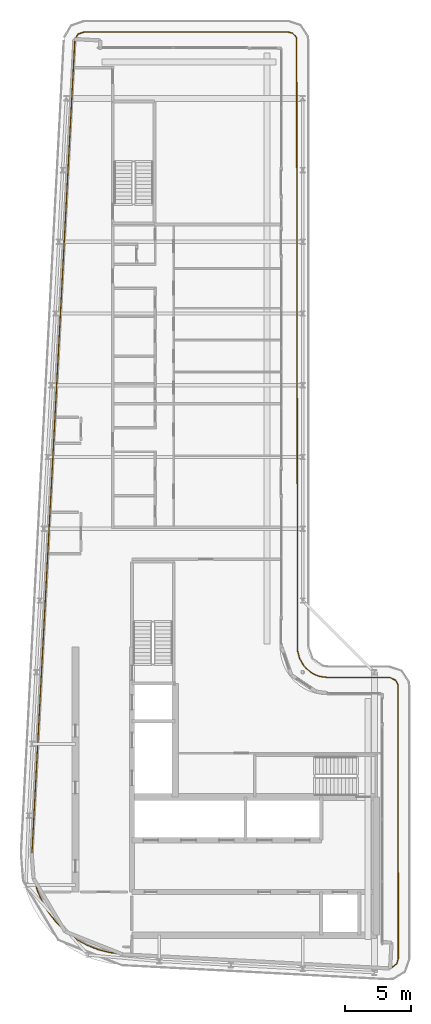
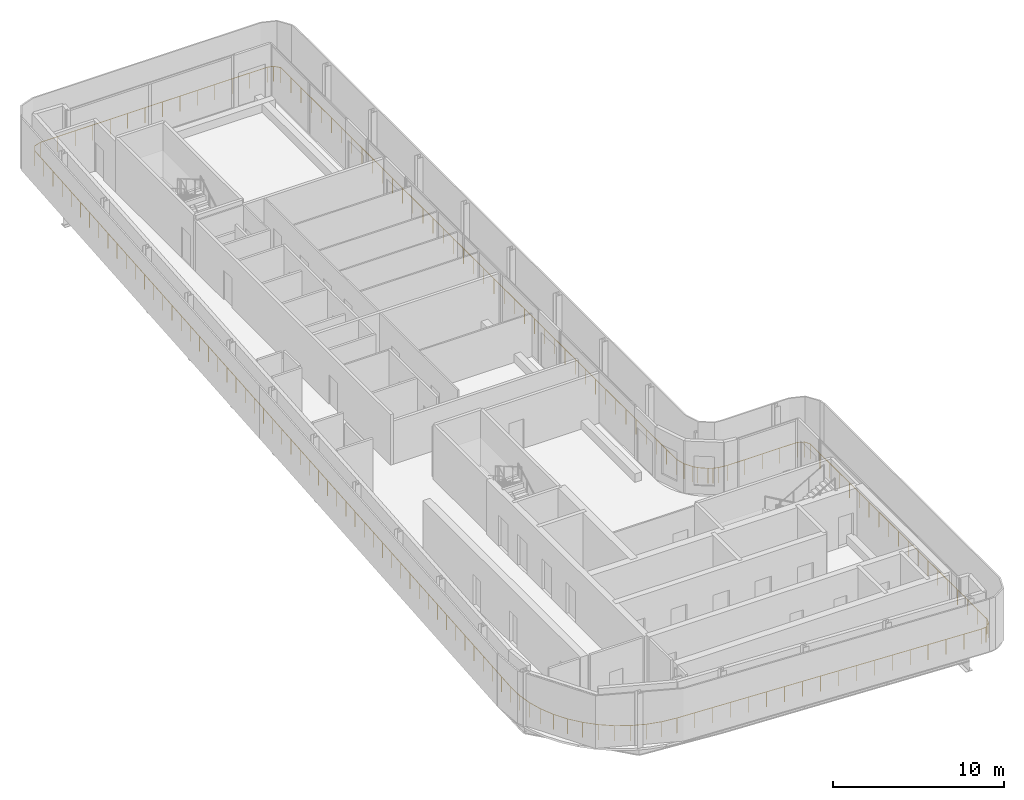
# One storey, part 16 of 19: 1 railing.
"""IFC4 building model written with IfcOpenShell, lengths in metres."""

import ifcopenshell
import ifcopenshell.guid

model = None  # the IFC model being written
_history = None  # IfcOwnerHistory: only IFC2X3 demands one
_inside = {}  # id of a spatial element -> (the spatial element, [elements in it])
_under = {}  # id of a project, library or spatial element -> (it, [spatial elements below it])
_declared = {}  # id of a project -> (the project, [libraries it declares])
_typed = {}  # id of a type object -> (the type object, [elements of that type])
_made_of = {}  # id of a material, layer set ... -> (it, [elements and type objects made of it])


def new_model(schema):
    """Start an empty IFC model of exactly this schema.

    Asked for "IFC4X3", IfcOpenShell would pick the latest addendum, in which some entities
    have other attributes; the version numbers below select the first issue.
    IFC2X3 requires an IfcOwnerHistory on every rooted entity: one is made here for all.
    """
    global model, _history
    if schema == "IFC4X3":
        model = ifcopenshell.file(schema_version=(4, 3, 0, 0))
    else:
        model = ifcopenshell.file(schema=schema)
    _inside.clear()
    _under.clear()
    _declared.clear()
    _typed.clear()
    _made_of.clear()
    _history = None
    if model.schema == "IFC2X3":
        org = make("IfcOrganization", Name="unknown")
        user = make(
            "IfcPersonAndOrganization",
            ThePerson=make("IfcPerson", FamilyName="unknown"),
            TheOrganization=org,
        )
        app = make(
            "IfcApplication",
            ApplicationDeveloper=org,
            Version="unknown",
            ApplicationFullName="unknown",
            ApplicationIdentifier="unknown",
        )
        _history = make(
            "IfcOwnerHistory",
            OwningUser=user,
            OwningApplication=app,
            ChangeAction="ADDED",
            CreationDate=0,
        )
    return model


def make(cls, **values):
    """One entity of the class cls with the attributes given. An attribute that is None is left unset."""
    return model.create_entity(
        cls, **{name: value for name, value in values.items() if value is not None}
    )


def rooted(cls, **values):
    """An entity with a GlobalId (a new one), such as an element, a storey or a relation."""
    return make(cls, GlobalId=ifcopenshell.guid.new(), OwnerHistory=_history, **values)


def si_unit(unit_type, name, prefix=None):
    """IfcSIUnit, for example si_unit("LENGTHUNIT", "METRE", prefix="MILLI")."""
    return make("IfcSIUnit", UnitType=unit_type, Prefix=prefix, Name=name)


def assignment(units):
    """IfcUnitAssignment: the units of a project."""
    return None if units is None else make("IfcUnitAssignment", Units=units)


def point(xyz):
    """IfcCartesianPoint."""
    return None if xyz is None else make("IfcCartesianPoint", Coordinates=xyz)


def direction(xyz):
    """IfcDirection."""
    return None if xyz is None else make("IfcDirection", DirectionRatios=xyz)


def frame(location, z_axis=None, x_axis=None):
    """IfcAxis2Placement3D, a coordinate frame: its origin and axes. An axis left out is left unset."""
    return make(
        "IfcAxis2Placement3D",
        Location=point(location),
        Axis=direction(z_axis),
        RefDirection=direction(x_axis),
    )


def frame_2d(location, x_axis=None):
    """IfcAxis2Placement2D, a coordinate frame in the plane: its origin and x axis."""
    return make(
        "IfcAxis2Placement2D", Location=point(location), RefDirection=direction(x_axis)
    )


def origin():
    """The frame at (0, 0, 0) with its axes left unset."""
    return frame((0.0, 0.0, 0.0))


def origin_2d():
    """The frame at (0, 0) in the plane with its x axis left unset."""
    return frame_2d((0.0, 0.0))


def place(relative_to, where):
    """IfcLocalPlacement: puts the frame where relative to a parent placement (None: the world)."""
    return make(
        "IfcLocalPlacement", PlacementRelTo=relative_to, RelativePlacement=where
    )


def context(
    kind, dimensions, precision=None, world=None, true_north=None, identifier=None
):
    """IfcGeometricRepresentationContext, for example the 3D "Model" context."""
    return make(
        "IfcGeometricRepresentationContext",
        ContextIdentifier=identifier,
        ContextType=kind,
        CoordinateSpaceDimension=dimensions,
        Precision=precision,
        WorldCoordinateSystem=world,
        TrueNorth=true_north,
    )


def subcontext(parent, identifier, kind, view, scale=None):
    """IfcGeometricRepresentationSubContext, for example "Body" below "Model"."""
    return make(
        "IfcGeometricRepresentationSubContext",
        ContextIdentifier=identifier,
        ContextType=kind,
        ParentContext=parent,
        TargetScale=scale,
        TargetView=view,
    )


def project(units=None, contexts=None):
    """IfcProject with its units and contexts."""
    return rooted(
        "IfcProject",
        Name="project",
        RepresentationContexts=contexts,
        UnitsInContext=assignment(units),
    )


def spatial(cls, under=None, at=None, **own):
    """A site, building, storey or space (cls), placed at a placement, below another one or the project."""
    s = rooted(cls, ObjectPlacement=at, **own)
    if under is not None:
        _under.setdefault(under.id(), (under, []))[1].append(s)
    return s


def profile(cls, at=None, kind="AREA", **sizes):
    """A parametric profile (cls). Its sizes go by their IFC names, for example OverallWidth=200.0."""
    return make(cls, ProfileType=kind, Position=at, **sizes)


def circle(**sizes):
    """IfcCircleProfileDef."""
    return profile("IfcCircleProfileDef", **sizes)


def extrude(swept, where, along, depth):
    """IfcExtrudedAreaSolid: the profile swept, set in the frame where, extruded along a direction by depth."""
    return make(
        "IfcExtrudedAreaSolid",
        SweptArea=swept,
        Position=where,
        ExtrudedDirection=direction(along),
        Depth=depth,
    )


def shape(context_of_items, identifier, shape_type, items):
    """IfcShapeRepresentation: the items that make up one representation, for example the "Body"."""
    return make(
        "IfcShapeRepresentation",
        ContextOfItems=context_of_items,
        RepresentationIdentifier=identifier,
        RepresentationType=shape_type,
        Items=items,
    )


def material(Name=None, Category=None):
    """IfcMaterial."""
    return make("IfcMaterial", Name=Name, Category=Category)


def made_of(thing, what):
    """Note that an element or type object is made of a material, layer set ...; save() writes the relation."""
    if what is not None:
        _made_of.setdefault(what.id(), (what, []))[1].append(thing)
    return thing


def type_object(cls, material=None, **own):
    """A type object (cls), such as IfcWallType, which elements share."""
    return made_of(rooted(cls, **own), material)


def element(
    cls,
    number,
    at=None,
    inside=None,
    cuts=None,
    type_object=None,
    material=None,
    context=None,
    identifier="Body",
    shape_type=None,
    held_by="IfcProductDefinitionShape",
    body=None,
    shapes=None,
    **own,
):
    """One element of the class cls, such as IfcWall. Its Tag is "e" and its number.

    at: its placement. inside: the storey or other place that contains it. cuts: it is an
    opening in that element (IfcRelVoidsElement). A single representation is given by context,
    identifier, shape_type and body (its items); several are given by shapes. held_by: the class
    of the entity that holds the representations. save() writes the other relations.
    """
    e = rooted(cls, Tag="e%d" % number, ObjectPlacement=at, **own)
    if body is not None:
        shapes = [shape(context, identifier, shape_type, body)]
    if shapes is not None:
        e.Representation = make(held_by, Representations=shapes)
    if inside is not None:
        _inside.setdefault(inside.id(), (inside, []))[1].append(e)
    if cuts is not None:
        rooted(
            "IfcRelVoidsElement", RelatingBuildingElement=cuts, RelatedOpeningElement=e
        )
    if type_object is not None:
        _typed.setdefault(type_object.id(), (type_object, []))[1].append(e)
    return made_of(e, material)


def aggregate(whole, parts):
    """IfcRelAggregates: a whole, such as a stair, and the parts it consists of."""
    return rooted("IfcRelAggregates", RelatingObject=whole, RelatedObjects=parts)


def save(model, path):
    """Write the relations noted so far, then the file.

    IfcRelAggregates (storeys below a building ...), IfcRelContainedInSpatialStructure (elements
    in a storey), IfcRelDefinesByType, IfcRelAssociatesMaterial and IfcRelDeclares: one each for
    every whole, place, type object, material and project.
    """
    for whole, parts in _under.values():
        aggregate(whole, parts)
    for where, things in _inside.values():
        rooted(
            "IfcRelContainedInSpatialStructure",
            RelatedElements=things,
            RelatingStructure=where,
        )
    for kind, things in _typed.values():
        rooted("IfcRelDefinesByType", RelatedObjects=things, RelatingType=kind)
    for what, things in _made_of.values():
        rooted("IfcRelAssociatesMaterial", RelatedObjects=things, RelatingMaterial=what)
    for by, libraries in _declared.values():
        rooted("IfcRelDeclares", RelatingContext=by, RelatedDefinitions=libraries)
    model.write(path)


model = new_model("IFC4")

# Units and contexts
model_context = context("Model", 3, precision=1e-05, world=origin(), true_north=direction((0.0, 1.0)))
body_context = subcontext(model_context, "Body", "Model", "MODEL_VIEW")
ifc_project = project(units=[si_unit("LENGTHUNIT", "METRE"), si_unit("AREAUNIT", "SQUARE_METRE"), si_unit("VOLUMEUNIT", "CUBIC_METRE"), si_unit("PLANEANGLEUNIT", "RADIAN"), si_unit("MASSUNIT", "GRAM", prefix="KILO")], contexts=[model_context])

# Site, building, storey
site_placement = place(None, origin())
site = spatial("IfcSite", under=ifc_project, at=site_placement, CompositionType="ELEMENT")
building_placement = place(site_placement, origin())
building = spatial("IfcBuilding", under=site, at=building_placement, Name="Kheshtan School and Residences Tower", CompositionType="ELEMENT")
storey_placement = place(building_placement, frame((0.0, 0.0, 357.800048828125)))
storey = spatial("IfcBuildingStorey", under=building, at=storey_placement, Name="L84", CompositionType="ELEMENT", Elevation=357.800048828125)

# Railing
ifc_material = material(Name="Stainless steel balustrade", Category="steel")
railing_type = type_object("IfcRailingType", Name="Loggia guard 1100", PredefinedType="GUARDRAIL", material=ifc_material)
railing_placement = place(storey_placement, frame((30.452880859375, 93.23193359375, 0.0)))
element("IfcRailing", 1, at=railing_placement, inside=storey, type_object=railing_type, Name="Guard L84 1", PredefinedType="GUARDRAIL", context=body_context, shape_type="SweptSolid", body=[
    extrude(circle(Radius=0.02392578125, at=origin_2d()), frame((0.0, 0.0, 1.076171875), z_axis=(0.511384164068, 0.859352219256, 0.0), x_axis=(-0.859352219256, 0.511384164068, 0.0)), (0.0, 0.0, 1.0), 0.4736328125),
    extrude(circle(Radius=0.02392578125, at=origin_2d()), frame((0.2421875, 0.406982421875, 1.076171875), z_axis=(0.94615212502, 0.323722344486, 0.0), x_axis=(-0.323722344486, 0.94615212502, 0.0)), (0.0, 0.0, 1.0), 0.497802734375),
    extrude(circle(Radius=0.02392578125, at=origin_2d()), frame((0.713134765625, 0.568115234375, 1.076171875), z_axis=(1.0, 0.0, 0.0), x_axis=(0.0, 1.0, 0.0)), (0.0, 0.0, 1.0), 15.306884765625),
    extrude(circle(Radius=0.02392578125, at=origin_2d()), frame((16.02001953125, 0.568115234375, 1.076171875), z_axis=(0.969584789188, -0.244755667095, 0.0), x_axis=(0.244755667095, 0.969584789188, 0.0)), (0.0, 0.0, 1.0), 0.387939453125),
    extrude(circle(Radius=0.02392578125, at=origin_2d()), frame((16.396240234375, 0.47314453125, 1.076171875), z_axis=(0.658543074433, -0.752543034727, 0.0), x_axis=(0.752543034727, 0.658543074433, 0.0)), (0.0, 0.0, 1.0), 0.44921875),
    extrude(circle(Radius=0.02392578125, at=origin_2d()), frame((16.692138671875, 0.135009765625, 1.076171875), z_axis=(0.00158113856, -0.99999875, 0.0), x_axis=(0.99999875, 0.00158113856, 0.0)), (0.0, 0.0, 1.0), 46.16796875),
    extrude(circle(Radius=0.02392578125, at=origin_2d()), frame((16.76513671875, -46.032958984375, 1.076171875), z_axis=(0.258194066029, -0.966093072259, 0.0), x_axis=(0.966093072259, 0.258194066029, 0.0)), (0.0, 0.0, 1.0), 0.600341796875),
    extrude(circle(Radius=0.02392578125, at=origin_2d()), frame((16.920166015625, -46.613037109375, 1.076171875), z_axis=(0.500650830488, -0.865649320413, 0.0), x_axis=(0.865649320413, 0.500650830488, 0.0)), (0.0, 0.0, 1.0), 0.599365234375),
    extrude(circle(Radius=0.02392578125, at=origin_2d()), frame((17.22021484375, -47.1318359375, 1.076171875), z_axis=(0.657475962228, -0.753475519903, 0.0), x_axis=(0.753475519903, 0.657475962228, 0.0)), (0.0, 0.0, 1.0), 0.302734375),
    extrude(circle(Radius=0.02392578125, at=origin_2d()), frame((17.419189453125, -47.35986328125, 1.076171875), z_axis=(0.794207829635, -0.607646215611, 0.0), x_axis=(0.607646215611, 0.794207829635, 0.0)), (0.0, 0.0, 1.0), 0.6005859375),
    extrude(circle(Radius=0.02392578125, at=origin_2d()), frame((17.896240234375, -47.724853515625, 1.076171875), z_axis=(0.895558957072, -0.444942866455, 0.0), x_axis=(0.444942866455, 0.895558957072, 0.0)), (0.0, 0.0, 1.0), 0.30126953125),
    extrude(circle(Radius=0.02392578125, at=origin_2d()), frame((18.166015625, -47.85888671875, 1.076171875), z_axis=(0.946890871883, -0.321555091305, 0.0), x_axis=(0.321555091305, 0.946890871883, 0.0)), (0.0, 0.0, 1.0), 0.30224609375),
    extrude(circle(Radius=0.02392578125, at=origin_2d()), frame((18.4521484375, -47.9560546875, 1.076171875), z_axis=(0.991179452641, -0.132526573418, 0.0), x_axis=(0.132526573418, 0.991179452641, 0.0)), (0.0, 0.0, 1.0), 0.572998046875),
    extrude(circle(Radius=0.02392578125, at=origin_2d()), frame((19.02001953125, -48.031982421875, 1.076171875), z_axis=(0.999998541999, -0.001707630111, 0.0), x_axis=(0.001707630111, 0.999998541999, 0.0)), (0.0, 0.0, 1.0), 4.718017578125),
    extrude(circle(Radius=0.02392578125, at=origin_2d()), frame((23.738037109375, -48.0400390625, 1.076171875), z_axis=(0.897558100782, -0.440896196084, 0.0), x_axis=(0.440896196084, 0.897558100782, 0.0)), (0.0, 0.0, 1.0), 0.448974609375),
    extrude(circle(Radius=0.02392578125, at=origin_2d()), frame((24.14111328125, -48.238037109375, 1.076171875), z_axis=(0.498394889566, -0.866950133546, 0.0), x_axis=(0.866950133546, 0.498394889566, 0.0)), (0.0, 0.0, 1.0), 0.361083984375),
    extrude(circle(Radius=0.02392578125, at=origin_2d()), frame((24.321044921875, -48.551025390625, 1.076171875), z_axis=(0.001266271174, -0.999999198278, 0.0), x_axis=(0.999999198278, 0.001266271174, 0.0)), (0.0, 0.0, 1.0), 20.6298828125),
    extrude(circle(Radius=0.02392578125, at=origin_2d()), frame((24.34716796875, -69.180908203125, 1.076171875), z_axis=(-0.253805819319, -0.967255191808, 0.0), x_axis=(0.967255191808, -0.253805819319, 0.0)), (0.0, 0.0, 1.0), 0.402099609375),
    extrude(circle(Radius=0.02392578125, at=origin_2d()), frame((24.2451171875, -69.56982421875, 1.076171875), z_axis=(-0.7708150077, -0.637059042715, 0.0), x_axis=(0.637059042715, -0.7708150077, 0.0)), (0.0, 0.0, 1.0), 0.4619140625),
    extrude(circle(Radius=0.02392578125, at=origin_2d()), frame((23.88916015625, -69.864013671875, 1.076171875), z_axis=(-0.990293977152, -0.138988628372, 0.0), x_axis=(0.138988628372, -0.990293977152, 0.0)), (0.0, 0.0, 1.0), 0.30908203125),
    extrude(circle(Radius=0.02392578125, at=origin_2d()), frame((23.5830078125, -69.906982421875, 1.076171875), z_axis=(-0.99861401751, 0.052631207781, 0.0), x_axis=(-0.052631207781, -0.99861401751, 0.0)), (0.0, 0.0, 1.0), 20.0068359375),
    extrude(circle(Radius=0.02392578125, at=origin_2d()), frame((3.60400390625, -68.85400390625, 1.076171875), z_axis=(-0.993152326572, 0.116826607521, 0.0), x_axis=(-0.116826607521, -0.993152326572, 0.0)), (0.0, 0.0, 1.0), 0.967529296875),
    extrude(circle(Radius=0.02392578125, at=origin_2d()), frame((2.64306640625, -68.740966796875, 1.076171875), z_axis=(-0.969142269941, 0.246502049918, 0.0), x_axis=(-0.246502049918, -0.969142269941, 0.0)), (0.0, 0.0, 1.0), 0.94091796875),
    extrude(circle(Radius=0.02392578125, at=origin_2d()), frame((1.731201171875, -68.509033203125, 1.076171875), z_axis=(-0.928440955332, 0.371480002775, 0.0), x_axis=(-0.371480002775, -0.928440955332, 0.0)), (0.0, 0.0, 1.0), 0.9423828125),
    extrude(circle(Radius=0.02392578125, at=origin_2d()), frame((0.856201171875, -68.158935546875, 1.076171875), z_axis=(-0.872673913379, 0.488303431187, 0.0), x_axis=(-0.488303431187, -0.872673913379, 0.0)), (0.0, 0.0, 1.0), 0.94189453125),
    extrude(circle(Radius=0.02392578125, at=origin_2d()), frame((0.0341796875, -67.698974609375, 1.076171875), z_axis=(-0.801336596607, 0.598213723462, 0.0), x_axis=(-0.598213723462, -0.801336596607, 0.0)), (0.0, 0.0, 1.0), 0.941162109375),
    extrude(circle(Radius=0.02392578125, at=origin_2d()), frame((-0.719970703125, -67.135986328125, 1.076171875), z_axis=(-0.71600013962, 0.69810013613, 0.0), x_axis=(-0.69810013613, -0.71600013962, 0.0)), (0.0, 0.0, 1.0), 0.941162109375),
    extrude(circle(Radius=0.02392578125, at=origin_2d()), frame((-1.393798828125, -66.47900390625, 1.076171875), z_axis=(-0.618862535768, 0.785499307334, 0.0), x_axis=(-0.785499307334, -0.618862535768, 0.0)), (0.0, 0.0, 1.0), 0.942138671875),
    extrude(circle(Radius=0.02392578125, at=origin_2d()), frame((-1.976806640625, -65.739013671875, 1.076171875), z_axis=(-0.510214927824, 0.860046933269, 0.0), x_axis=(-0.860046933269, -0.510214927824, 0.0)), (0.0, 0.0, 1.0), 0.940673828125),
    extrude(circle(Radius=0.02392578125, at=origin_2d()), frame((-2.456787109375, -64.929931640625, 1.076171875), z_axis=(-0.394763216191, 0.918782892278, 0.0), x_axis=(-0.918782892278, -0.394763216191, 0.0)), (0.0, 0.0, 1.0), 0.942626953125),
    extrude(circle(Radius=0.02392578125, at=origin_2d()), frame((-2.828857421875, -64.06396484375, 1.076171875), z_axis=(-0.272014427065, 0.962293173346, 0.0), x_axis=(-0.962293173346, -0.272014427065, 0.0)), (0.0, 0.0, 1.0), 0.94140625),
    extrude(circle(Radius=0.02392578125, at=origin_2d()), frame((-3.0849609375, -63.157958984375, 1.076171875), z_axis=(-0.143344445165, 0.989672860111, 0.0), x_axis=(-0.989672860111, -0.143344445165, 0.0)), (0.0, 0.0, 1.0), 0.94189453125),
    extrude(circle(Radius=0.02392578125, at=origin_2d()), frame((-3.219970703125, -62.225830078125, 1.076171875), z_axis=(-0.013382639841, 0.999910448466, 0.0), x_axis=(-0.999910448466, -0.013382639841, 0.0)), (0.0, 0.0, 1.0), 0.966796875),
    extrude(circle(Radius=0.02392578125, at=origin_2d()), frame((-3.23291015625, -61.259033203125, 1.076171875), z_axis=(0.052701084501, 0.998610332258, 0.0), x_axis=(-0.998610332258, 0.052701084501, 0.0)), (0.0, 0.0, 1.0), 61.34423828125),
    extrude(circle(Radius=0.02099609375, at=origin_2d()), origin(), (0.0, 0.0, 1.0), 1.052001953125),
    extrude(circle(Radius=0.02099609375, at=origin_2d()), frame((0.2421875, 0.406982421875, 0.0)), (0.0, 0.0, 1.0), 1.052001953125),
    extrude(circle(Radius=0.02099609375, at=origin_2d()), frame((0.713134765625, 0.568115234375, 0.0)), (0.0, 0.0, 1.0), 1.052001953125),
    extrude(circle(Radius=0.02099609375, at=origin_2d()), frame((1.890625, 0.568115234375, 0.0)), (0.0, 0.0, 1.0), 1.052001953125),
    extrude(circle(Radius=0.02099609375, at=origin_2d()), frame((3.068115234375, 0.568115234375, 0.0)), (0.0, 0.0, 1.0), 1.052001953125),
    extrude(circle(Radius=0.02099609375, at=origin_2d()), frame((4.24560546875, 0.568115234375, 0.0)), (0.0, 0.0, 1.0), 1.052001953125),
    extrude(circle(Radius=0.02099609375, at=origin_2d()), frame((5.4228515625, 0.568115234375, 0.0)), (0.0, 0.0, 1.0), 1.052001953125),
    extrude(circle(Radius=0.02099609375, at=origin_2d()), frame((6.600341796875, 0.568115234375, 0.0)), (0.0, 0.0, 1.0), 1.052001953125),
    extrude(circle(Radius=0.02099609375, at=origin_2d()), frame((7.77783203125, 0.568115234375, 0.0)), (0.0, 0.0, 1.0), 1.052001953125),
    extrude(circle(Radius=0.02099609375, at=origin_2d()), frame((8.955322265625, 0.568115234375, 0.0)), (0.0, 0.0, 1.0), 1.052001953125),
    extrude(circle(Radius=0.02099609375, at=origin_2d()), frame((10.1328125, 0.568115234375, 0.0)), (0.0, 0.0, 1.0), 1.052001953125),
    extrude(circle(Radius=0.02099609375, at=origin_2d()), frame((11.310302734375, 0.568115234375, 0.0)), (0.0, 0.0, 1.0), 1.052001953125),
    extrude(circle(Radius=0.02099609375, at=origin_2d()), frame((12.487548828125, 0.568115234375, 0.0)), (0.0, 0.0, 1.0), 1.052001953125),
    extrude(circle(Radius=0.02099609375, at=origin_2d()), frame((13.6650390625, 0.568115234375, 0.0)), (0.0, 0.0, 1.0), 1.052001953125),
    extrude(circle(Radius=0.02099609375, at=origin_2d()), frame((14.842529296875, 0.568115234375, 0.0)), (0.0, 0.0, 1.0), 1.052001953125),
    extrude(circle(Radius=0.02099609375, at=origin_2d()), frame((16.02001953125, 0.568115234375, 0.0)), (0.0, 0.0, 1.0), 1.052001953125),
    extrude(circle(Radius=0.02099609375, at=origin_2d()), frame((16.396240234375, 0.47314453125, 0.0)), (0.0, 0.0, 1.0), 1.052001953125),
    extrude(circle(Radius=0.02099609375, at=origin_2d()), frame((16.692138671875, 0.135009765625, 0.0)), (0.0, 0.0, 1.0), 1.052001953125),
    extrude(circle(Radius=0.02099609375, at=origin_2d()), frame((16.694091796875, -1.048828125, 0.0)), (0.0, 0.0, 1.0), 1.052001953125),
    extrude(circle(Radius=0.02099609375, at=origin_2d()), frame((16.69580078125, -2.232666015625, 0.0)), (0.0, 0.0, 1.0), 1.052001953125),
    extrude(circle(Radius=0.02099609375, at=origin_2d()), frame((16.69775390625, -3.416259765625, 0.0)), (0.0, 0.0, 1.0), 1.052001953125),
    extrude(circle(Radius=0.02099609375, at=origin_2d()), frame((16.69970703125, -4.60009765625, 0.0)), (0.0, 0.0, 1.0), 1.052001953125),
    extrude(circle(Radius=0.02099609375, at=origin_2d()), frame((16.701416015625, -5.783935546875, 0.0)), (0.0, 0.0, 1.0), 1.052001953125),
    extrude(circle(Radius=0.02099609375, at=origin_2d()), frame((16.703369140625, -6.9677734375, 0.0)), (0.0, 0.0, 1.0), 1.052001953125),
    extrude(circle(Radius=0.02099609375, at=origin_2d()), frame((16.705322265625, -8.151611328125, 0.0)), (0.0, 0.0, 1.0), 1.052001953125),
    extrude(circle(Radius=0.02099609375, at=origin_2d()), frame((16.70703125, -9.33544921875, 0.0)), (0.0, 0.0, 1.0), 1.052001953125),
    extrude(circle(Radius=0.02099609375, at=origin_2d()), frame((16.708984375, -10.51904296875, 0.0)), (0.0, 0.0, 1.0), 1.052001953125),
    extrude(circle(Radius=0.02099609375, at=origin_2d()), frame((16.7109375, -11.702880859375, 0.0)), (0.0, 0.0, 1.0), 1.052001953125),
    extrude(circle(Radius=0.02099609375, at=origin_2d()), frame((16.712646484375, -12.88671875, 0.0)), (0.0, 0.0, 1.0), 1.052001953125),
    extrude(circle(Radius=0.02099609375, at=origin_2d()), frame((16.714599609375, -14.070556640625, 0.0)), (0.0, 0.0, 1.0), 1.052001953125),
    extrude(circle(Radius=0.02099609375, at=origin_2d()), frame((16.716552734375, -15.25439453125, 0.0)), (0.0, 0.0, 1.0), 1.052001953125),
    extrude(circle(Radius=0.02099609375, at=origin_2d()), frame((16.71826171875, -16.43798828125, 0.0)), (0.0, 0.0, 1.0), 1.052001953125),
    extrude(circle(Radius=0.02099609375, at=origin_2d()), frame((16.72021484375, -17.621826171875, 0.0)), (0.0, 0.0, 1.0), 1.052001953125),
    extrude(circle(Radius=0.02099609375, at=origin_2d()), frame((16.72216796875, -18.8056640625, 0.0)), (0.0, 0.0, 1.0), 1.052001953125),
    extrude(circle(Radius=0.02099609375, at=origin_2d()), frame((16.723876953125, -19.989501953125, 0.0)), (0.0, 0.0, 1.0), 1.052001953125),
    extrude(circle(Radius=0.02099609375, at=origin_2d()), frame((16.725830078125, -21.17333984375, 0.0)), (0.0, 0.0, 1.0), 1.052001953125),
    extrude(circle(Radius=0.02099609375, at=origin_2d()), frame((16.727783203125, -22.357177734375, 0.0)), (0.0, 0.0, 1.0), 1.052001953125),
    extrude(circle(Radius=0.02099609375, at=origin_2d()), frame((16.7294921875, -23.540771484375, 0.0)), (0.0, 0.0, 1.0), 1.052001953125),
    extrude(circle(Radius=0.02099609375, at=origin_2d()), frame((16.7314453125, -24.724609375, 0.0)), (0.0, 0.0, 1.0), 1.052001953125),
    extrude(circle(Radius=0.02099609375, at=origin_2d()), frame((16.7333984375, -25.908447265625, 0.0)), (0.0, 0.0, 1.0), 1.052001953125),
    extrude(circle(Radius=0.02099609375, at=origin_2d()), frame((16.735107421875, -27.09228515625, 0.0)), (0.0, 0.0, 1.0), 1.052001953125),
    extrude(circle(Radius=0.02099609375, at=origin_2d()), frame((16.737060546875, -28.276123046875, 0.0)), (0.0, 0.0, 1.0), 1.052001953125),
    extrude(circle(Radius=0.02099609375, at=origin_2d()), frame((16.739013671875, -29.4599609375, 0.0)), (0.0, 0.0, 1.0), 1.052001953125),
    extrude(circle(Radius=0.02099609375, at=origin_2d()), frame((16.74072265625, -30.6435546875, 0.0)), (0.0, 0.0, 1.0), 1.052001953125),
    extrude(circle(Radius=0.02099609375, at=origin_2d()), frame((16.74267578125, -31.827392578125, 0.0)), (0.0, 0.0, 1.0), 1.052001953125),
    extrude(circle(Radius=0.02099609375, at=origin_2d()), frame((16.74462890625, -33.01123046875, 0.0)), (0.0, 0.0, 1.0), 1.052001953125),
    extrude(circle(Radius=0.02099609375, at=origin_2d()), frame((16.746337890625, -34.195068359375, 0.0)), (0.0, 0.0, 1.0), 1.052001953125),
    extrude(circle(Radius=0.02099609375, at=origin_2d()), frame((16.748291015625, -35.37890625, 0.0)), (0.0, 0.0, 1.0), 1.052001953125),
    extrude(circle(Radius=0.02099609375, at=origin_2d()), frame((16.750244140625, -36.5625, 0.0)), (0.0, 0.0, 1.0), 1.052001953125),
    extrude(circle(Radius=0.02099609375, at=origin_2d()), frame((16.751953125, -37.746337890625, 0.0)), (0.0, 0.0, 1.0), 1.052001953125),
    extrude(circle(Radius=0.02099609375, at=origin_2d()), frame((16.75390625, -38.93017578125, 0.0)), (0.0, 0.0, 1.0), 1.052001953125),
    extrude(circle(Radius=0.02099609375, at=origin_2d()), frame((16.755859375, -40.114013671875, 0.0)), (0.0, 0.0, 1.0), 1.052001953125),
    extrude(circle(Radius=0.02099609375, at=origin_2d()), frame((16.757568359375, -41.2978515625, 0.0)), (0.0, 0.0, 1.0), 1.052001953125),
    extrude(circle(Radius=0.02099609375, at=origin_2d()), frame((16.759521484375, -42.481689453125, 0.0)), (0.0, 0.0, 1.0), 1.052001953125),
    extrude(circle(Radius=0.02099609375, at=origin_2d()), frame((16.761474609375, -43.665283203125, 0.0)), (0.0, 0.0, 1.0), 1.052001953125),
    extrude(circle(Radius=0.02099609375, at=origin_2d()), frame((16.76318359375, -44.84912109375, 0.0)), (0.0, 0.0, 1.0), 1.052001953125),
    extrude(circle(Radius=0.02099609375, at=origin_2d()), frame((16.76513671875, -46.032958984375, 0.0)), (0.0, 0.0, 1.0), 1.052001953125),
    extrude(circle(Radius=0.02099609375, at=origin_2d()), frame((16.920166015625, -46.613037109375, 0.0)), (0.0, 0.0, 1.0), 1.052001953125),
    extrude(circle(Radius=0.02099609375, at=origin_2d()), frame((17.22021484375, -47.1318359375, 0.0)), (0.0, 0.0, 1.0), 1.052001953125),
    extrude(circle(Radius=0.02099609375, at=origin_2d()), frame((17.419189453125, -47.35986328125, 0.0)), (0.0, 0.0, 1.0), 1.052001953125),
    extrude(circle(Radius=0.02099609375, at=origin_2d()), frame((17.896240234375, -47.724853515625, 0.0)), (0.0, 0.0, 1.0), 1.052001953125),
    extrude(circle(Radius=0.02099609375, at=origin_2d()), frame((18.166015625, -47.85888671875, 0.0)), (0.0, 0.0, 1.0), 1.052001953125),
    extrude(circle(Radius=0.02099609375, at=origin_2d()), frame((18.4521484375, -47.9560546875, 0.0)), (0.0, 0.0, 1.0), 1.052001953125),
    extrude(circle(Radius=0.02099609375, at=origin_2d()), frame((19.02001953125, -48.031982421875, 0.0)), (0.0, 0.0, 1.0), 1.052001953125),
    extrude(circle(Radius=0.02099609375, at=origin_2d()), frame((20.199462890625, -48.033935546875, 0.0)), (0.0, 0.0, 1.0), 1.052001953125),
    extrude(circle(Radius=0.02099609375, at=origin_2d()), frame((21.37890625, -48.0361328125, 0.0)), (0.0, 0.0, 1.0), 1.052001953125),
    extrude(circle(Radius=0.02099609375, at=origin_2d()), frame((22.55859375, -48.0380859375, 0.0)), (0.0, 0.0, 1.0), 1.052001953125),
    extrude(circle(Radius=0.02099609375, at=origin_2d()), frame((23.738037109375, -48.0400390625, 0.0)), (0.0, 0.0, 1.0), 1.052001953125),
    extrude(circle(Radius=0.02099609375, at=origin_2d()), frame((24.14111328125, -48.238037109375, 0.0)), (0.0, 0.0, 1.0), 1.052001953125),
    extrude(circle(Radius=0.02099609375, at=origin_2d()), frame((24.321044921875, -48.551025390625, 0.0)), (0.0, 0.0, 1.0), 1.052001953125),
    extrude(circle(Radius=0.02099609375, at=origin_2d()), frame((24.322509765625, -49.697021484375, 0.0)), (0.0, 0.0, 1.0), 1.052001953125),
    extrude(circle(Radius=0.02099609375, at=origin_2d()), frame((24.323974609375, -50.84326171875, 0.0)), (0.0, 0.0, 1.0), 1.052001953125),
    extrude(circle(Radius=0.02099609375, at=origin_2d()), frame((24.325439453125, -51.9892578125, 0.0)), (0.0, 0.0, 1.0), 1.052001953125),
    extrude(circle(Radius=0.02099609375, at=origin_2d()), frame((24.326904296875, -53.135498046875, 0.0)), (0.0, 0.0, 1.0), 1.052001953125),
    extrude(circle(Radius=0.02099609375, at=origin_2d()), frame((24.328369140625, -54.281494140625, 0.0)), (0.0, 0.0, 1.0), 1.052001953125),
    extrude(circle(Radius=0.02099609375, at=origin_2d()), frame((24.329833984375, -55.427734375, 0.0)), (0.0, 0.0, 1.0), 1.052001953125),
    extrude(circle(Radius=0.02099609375, at=origin_2d()), frame((24.331298828125, -56.57373046875, 0.0)), (0.0, 0.0, 1.0), 1.052001953125),
    extrude(circle(Radius=0.02099609375, at=origin_2d()), frame((24.332763671875, -57.719970703125, 0.0)), (0.0, 0.0, 1.0), 1.052001953125),
    extrude(circle(Radius=0.02099609375, at=origin_2d()), frame((24.333984375, -58.865966796875, 0.0)), (0.0, 0.0, 1.0), 1.052001953125),
    extrude(circle(Radius=0.02099609375, at=origin_2d()), frame((24.33544921875, -60.011962890625, 0.0)), (0.0, 0.0, 1.0), 1.052001953125),
    extrude(circle(Radius=0.02099609375, at=origin_2d()), frame((24.3369140625, -61.158203125, 0.0)), (0.0, 0.0, 1.0), 1.052001953125),
    extrude(circle(Radius=0.02099609375, at=origin_2d()), frame((24.33837890625, -62.30419921875, 0.0)), (0.0, 0.0, 1.0), 1.052001953125),
    extrude(circle(Radius=0.02099609375, at=origin_2d()), frame((24.33984375, -63.450439453125, 0.0)), (0.0, 0.0, 1.0), 1.052001953125),
    extrude(circle(Radius=0.02099609375, at=origin_2d()), frame((24.34130859375, -64.596435546875, 0.0)), (0.0, 0.0, 1.0), 1.052001953125),
    extrude(circle(Radius=0.02099609375, at=origin_2d()), frame((24.3427734375, -65.74267578125, 0.0)), (0.0, 0.0, 1.0), 1.052001953125),
    extrude(circle(Radius=0.02099609375, at=origin_2d()), frame((24.34423828125, -66.888671875, 0.0)), (0.0, 0.0, 1.0), 1.052001953125),
    extrude(circle(Radius=0.02099609375, at=origin_2d()), frame((24.345703125, -68.034912109375, 0.0)), (0.0, 0.0, 1.0), 1.052001953125),
    extrude(circle(Radius=0.02099609375, at=origin_2d()), frame((24.34716796875, -69.180908203125, 0.0)), (0.0, 0.0, 1.0), 1.052001953125),
    extrude(circle(Radius=0.02099609375, at=origin_2d()), frame((24.2451171875, -69.56982421875, 0.0)), (0.0, 0.0, 1.0), 1.052001953125),
    extrude(circle(Radius=0.02099609375, at=origin_2d()), frame((23.88916015625, -69.864013671875, 0.0)), (0.0, 0.0, 1.0), 1.052001953125),
    extrude(circle(Radius=0.02099609375, at=origin_2d()), frame((23.5830078125, -69.906982421875, 0.0)), (0.0, 0.0, 1.0), 1.052001953125),
    extrude(circle(Radius=0.02099609375, at=origin_2d()), frame((22.40771484375, -69.844970703125, 0.0)), (0.0, 0.0, 1.0), 1.052001953125),
    extrude(circle(Radius=0.02099609375, at=origin_2d()), frame((21.232421875, -69.783203125, 0.0)), (0.0, 0.0, 1.0), 1.052001953125),
    extrude(circle(Radius=0.02099609375, at=origin_2d()), frame((20.057373046875, -69.72119140625, 0.0)), (0.0, 0.0, 1.0), 1.052001953125),
    extrude(circle(Radius=0.02099609375, at=origin_2d()), frame((18.882080078125, -69.6591796875, 0.0)), (0.0, 0.0, 1.0), 1.052001953125),
    extrude(circle(Radius=0.02099609375, at=origin_2d()), frame((17.706787109375, -69.59716796875, 0.0)), (0.0, 0.0, 1.0), 1.052001953125),
    extrude(circle(Radius=0.02099609375, at=origin_2d()), frame((16.531494140625, -69.535400390625, 0.0)), (0.0, 0.0, 1.0), 1.052001953125),
    extrude(circle(Radius=0.02099609375, at=origin_2d()), frame((15.3564453125, -69.473388671875, 0.0)), (0.0, 0.0, 1.0), 1.052001953125),
    extrude(circle(Radius=0.02099609375, at=origin_2d()), frame((14.18115234375, -69.411376953125, 0.0)), (0.0, 0.0, 1.0), 1.052001953125),
    extrude(circle(Radius=0.02099609375, at=origin_2d()), frame((13.005859375, -69.349609375, 0.0)), (0.0, 0.0, 1.0), 1.052001953125),
    extrude(circle(Radius=0.02099609375, at=origin_2d()), frame((11.83056640625, -69.28759765625, 0.0)), (0.0, 0.0, 1.0), 1.052001953125),
    extrude(circle(Radius=0.02099609375, at=origin_2d()), frame((10.655517578125, -69.2255859375, 0.0)), (0.0, 0.0, 1.0), 1.052001953125),
    extrude(circle(Radius=0.02099609375, at=origin_2d()), frame((9.480224609375, -69.163818359375, 0.0)), (0.0, 0.0, 1.0), 1.052001953125),
    extrude(circle(Radius=0.02099609375, at=origin_2d()), frame((8.304931640625, -69.101806640625, 0.0)), (0.0, 0.0, 1.0), 1.052001953125),
    extrude(circle(Radius=0.02099609375, at=origin_2d()), frame((7.129638671875, -69.039794921875, 0.0)), (0.0, 0.0, 1.0), 1.052001953125),
    extrude(circle(Radius=0.02099609375, at=origin_2d()), frame((5.95458984375, -68.977783203125, 0.0)), (0.0, 0.0, 1.0), 1.052001953125),
    extrude(circle(Radius=0.02099609375, at=origin_2d()), frame((4.779296875, -68.916015625, 0.0)), (0.0, 0.0, 1.0), 1.052001953125),
    extrude(circle(Radius=0.02099609375, at=origin_2d()), frame((3.60400390625, -68.85400390625, 0.0)), (0.0, 0.0, 1.0), 1.052001953125),
    extrude(circle(Radius=0.02099609375, at=origin_2d()), frame((2.64306640625, -68.740966796875, 0.0)), (0.0, 0.0, 1.0), 1.052001953125),
    extrude(circle(Radius=0.02099609375, at=origin_2d()), frame((1.731201171875, -68.509033203125, 0.0)), (0.0, 0.0, 1.0), 1.052001953125),
    extrude(circle(Radius=0.02099609375, at=origin_2d()), frame((0.856201171875, -68.158935546875, 0.0)), (0.0, 0.0, 1.0), 1.052001953125),
    extrude(circle(Radius=0.02099609375, at=origin_2d()), frame((0.0341796875, -67.698974609375, 0.0)), (0.0, 0.0, 1.0), 1.052001953125),
    extrude(circle(Radius=0.02099609375, at=origin_2d()), frame((-0.719970703125, -67.135986328125, 0.0)), (0.0, 0.0, 1.0), 1.052001953125),
    extrude(circle(Radius=0.02099609375, at=origin_2d()), frame((-1.393798828125, -66.47900390625, 0.0)), (0.0, 0.0, 1.0), 1.052001953125),
    extrude(circle(Radius=0.02099609375, at=origin_2d()), frame((-1.976806640625, -65.739013671875, 0.0)), (0.0, 0.0, 1.0), 1.052001953125),
    extrude(circle(Radius=0.02099609375, at=origin_2d()), frame((-2.456787109375, -64.929931640625, 0.0)), (0.0, 0.0, 1.0), 1.052001953125),
    extrude(circle(Radius=0.02099609375, at=origin_2d()), frame((-2.828857421875, -64.06396484375, 0.0)), (0.0, 0.0, 1.0), 1.052001953125),
    extrude(circle(Radius=0.02099609375, at=origin_2d()), frame((-3.0849609375, -63.157958984375, 0.0)), (0.0, 0.0, 1.0), 1.052001953125),
    extrude(circle(Radius=0.02099609375, at=origin_2d()), frame((-3.219970703125, -62.225830078125, 0.0)), (0.0, 0.0, 1.0), 1.052001953125),
    extrude(circle(Radius=0.02099609375, at=origin_2d()), frame((-3.23291015625, -61.259033203125, 0.0)), (0.0, 0.0, 1.0), 1.052001953125),
    extrude(circle(Radius=0.02099609375, at=origin_2d()), frame((-3.170654296875, -60.0810546875, 0.0)), (0.0, 0.0, 1.0), 1.052001953125),
    extrude(circle(Radius=0.02099609375, at=origin_2d()), frame((-3.108642578125, -58.90283203125, 0.0)), (0.0, 0.0, 1.0), 1.052001953125),
    extrude(circle(Radius=0.02099609375, at=origin_2d()), frame((-3.04638671875, -57.724853515625, 0.0)), (0.0, 0.0, 1.0), 1.052001953125),
    extrude(circle(Radius=0.02099609375, at=origin_2d()), frame((-2.984130859375, -56.546875, 0.0)), (0.0, 0.0, 1.0), 1.052001953125),
    extrude(circle(Radius=0.02099609375, at=origin_2d()), frame((-2.922119140625, -55.36865234375, 0.0)), (0.0, 0.0, 1.0), 1.052001953125),
    extrude(circle(Radius=0.02099609375, at=origin_2d()), frame((-2.85986328125, -54.190673828125, 0.0)), (0.0, 0.0, 1.0), 1.052001953125),
    extrude(circle(Radius=0.02099609375, at=origin_2d()), frame((-2.797607421875, -53.0126953125, 0.0)), (0.0, 0.0, 1.0), 1.052001953125),
    extrude(circle(Radius=0.02099609375, at=origin_2d()), frame((-2.735595703125, -51.83447265625, 0.0)), (0.0, 0.0, 1.0), 1.052001953125),
    extrude(circle(Radius=0.02099609375, at=origin_2d()), frame((-2.67333984375, -50.656494140625, 0.0)), (0.0, 0.0, 1.0), 1.052001953125),
    extrude(circle(Radius=0.02099609375, at=origin_2d()), frame((-2.611083984375, -49.478515625, 0.0)), (0.0, 0.0, 1.0), 1.052001953125),
    extrude(circle(Radius=0.02099609375, at=origin_2d()), frame((-2.549072265625, -48.30029296875, 0.0)), (0.0, 0.0, 1.0), 1.052001953125),
    extrude(circle(Radius=0.02099609375, at=origin_2d()), frame((-2.48681640625, -47.122314453125, 0.0)), (0.0, 0.0, 1.0), 1.052001953125),
    extrude(circle(Radius=0.02099609375, at=origin_2d()), frame((-2.4248046875, -45.9443359375, 0.0)), (0.0, 0.0, 1.0), 1.052001953125),
    extrude(circle(Radius=0.02099609375, at=origin_2d()), frame((-2.362548828125, -44.76611328125, 0.0)), (0.0, 0.0, 1.0), 1.052001953125),
    extrude(circle(Radius=0.02099609375, at=origin_2d()), frame((-2.30029296875, -43.588134765625, 0.0)), (0.0, 0.0, 1.0), 1.052001953125),
    extrude(circle(Radius=0.02099609375, at=origin_2d()), frame((-2.23828125, -42.41015625, 0.0)), (0.0, 0.0, 1.0), 1.052001953125),
    extrude(circle(Radius=0.02099609375, at=origin_2d()), frame((-2.176025390625, -41.23193359375, 0.0)), (0.0, 0.0, 1.0), 1.052001953125),
    extrude(circle(Radius=0.02099609375, at=origin_2d()), frame((-2.11376953125, -40.053955078125, 0.0)), (0.0, 0.0, 1.0), 1.052001953125),
    extrude(circle(Radius=0.02099609375, at=origin_2d()), frame((-2.0517578125, -38.8759765625, 0.0)), (0.0, 0.0, 1.0), 1.052001953125),
    extrude(circle(Radius=0.02099609375, at=origin_2d()), frame((-1.989501953125, -37.69775390625, 0.0)), (0.0, 0.0, 1.0), 1.052001953125),
    extrude(circle(Radius=0.02099609375, at=origin_2d()), frame((-1.92724609375, -36.519775390625, 0.0)), (0.0, 0.0, 1.0), 1.052001953125),
    extrude(circle(Radius=0.02099609375, at=origin_2d()), frame((-1.865234375, -35.341796875, 0.0)), (0.0, 0.0, 1.0), 1.052001953125),
    extrude(circle(Radius=0.02099609375, at=origin_2d()), frame((-1.802978515625, -34.16357421875, 0.0)), (0.0, 0.0, 1.0), 1.052001953125),
    extrude(circle(Radius=0.02099609375, at=origin_2d()), frame((-1.74072265625, -32.985595703125, 0.0)), (0.0, 0.0, 1.0), 1.052001953125),
    extrude(circle(Radius=0.02099609375, at=origin_2d()), frame((-1.6787109375, -31.8076171875, 0.0)), (0.0, 0.0, 1.0), 1.052001953125),
    extrude(circle(Radius=0.02099609375, at=origin_2d()), frame((-1.616455078125, -30.62939453125, 0.0)), (0.0, 0.0, 1.0), 1.052001953125),
    extrude(circle(Radius=0.02099609375, at=origin_2d()), frame((-1.55419921875, -29.451416015625, 0.0)), (0.0, 0.0, 1.0), 1.052001953125),
    extrude(circle(Radius=0.02099609375, at=origin_2d()), frame((-1.4921875, -28.2734375, 0.0)), (0.0, 0.0, 1.0), 1.052001953125),
    extrude(circle(Radius=0.02099609375, at=origin_2d()), frame((-1.429931640625, -27.095458984375, 0.0)), (0.0, 0.0, 1.0), 1.052001953125),
    extrude(circle(Radius=0.02099609375, at=origin_2d()), frame((-1.36767578125, -25.917236328125, 0.0)), (0.0, 0.0, 1.0), 1.052001953125),
    extrude(circle(Radius=0.02099609375, at=origin_2d()), frame((-1.3056640625, -24.7392578125, 0.0)), (0.0, 0.0, 1.0), 1.052001953125),
    extrude(circle(Radius=0.02099609375, at=origin_2d()), frame((-1.243408203125, -23.561279296875, 0.0)), (0.0, 0.0, 1.0), 1.052001953125),
    extrude(circle(Radius=0.02099609375, at=origin_2d()), frame((-1.18115234375, -22.383056640625, 0.0)), (0.0, 0.0, 1.0), 1.052001953125),
    extrude(circle(Radius=0.02099609375, at=origin_2d()), frame((-1.119140625, -21.205078125, 0.0)), (0.0, 0.0, 1.0), 1.052001953125),
    extrude(circle(Radius=0.02099609375, at=origin_2d()), frame((-1.056884765625, -20.027099609375, 0.0)), (0.0, 0.0, 1.0), 1.052001953125),
    extrude(circle(Radius=0.02099609375, at=origin_2d()), frame((-0.99462890625, -18.848876953125, 0.0)), (0.0, 0.0, 1.0), 1.052001953125),
    extrude(circle(Radius=0.02099609375, at=origin_2d()), frame((-0.9326171875, -17.6708984375, 0.0)), (0.0, 0.0, 1.0), 1.052001953125),
    extrude(circle(Radius=0.02099609375, at=origin_2d()), frame((-0.870361328125, -16.492919921875, 0.0)), (0.0, 0.0, 1.0), 1.052001953125),
    extrude(circle(Radius=0.02099609375, at=origin_2d()), frame((-0.80810546875, -15.314697265625, 0.0)), (0.0, 0.0, 1.0), 1.052001953125),
    extrude(circle(Radius=0.02099609375, at=origin_2d()), frame((-0.74609375, -14.13671875, 0.0)), (0.0, 0.0, 1.0), 1.052001953125),
    extrude(circle(Radius=0.02099609375, at=origin_2d()), frame((-0.683837890625, -12.958740234375, 0.0)), (0.0, 0.0, 1.0), 1.052001953125),
    extrude(circle(Radius=0.02099609375, at=origin_2d()), frame((-0.621826171875, -11.780517578125, 0.0)), (0.0, 0.0, 1.0), 1.052001953125),
    extrude(circle(Radius=0.02099609375, at=origin_2d()), frame((-0.5595703125, -10.6025390625, 0.0)), (0.0, 0.0, 1.0), 1.052001953125),
    extrude(circle(Radius=0.02099609375, at=origin_2d()), frame((-0.497314453125, -9.424560546875, 0.0)), (0.0, 0.0, 1.0), 1.052001953125),
    extrude(circle(Radius=0.02099609375, at=origin_2d()), frame((-0.435302734375, -8.246337890625, 0.0)), (0.0, 0.0, 1.0), 1.052001953125),
    extrude(circle(Radius=0.02099609375, at=origin_2d()), frame((-0.373046875, -7.068359375, 0.0)), (0.0, 0.0, 1.0), 1.052001953125),
    extrude(circle(Radius=0.02099609375, at=origin_2d()), frame((-0.310791015625, -5.890380859375, 0.0)), (0.0, 0.0, 1.0), 1.052001953125),
    extrude(circle(Radius=0.02099609375, at=origin_2d()), frame((-0.248779296875, -4.712158203125, 0.0)), (0.0, 0.0, 1.0), 1.052001953125),
    extrude(circle(Radius=0.02099609375, at=origin_2d()), frame((-0.1865234375, -3.5341796875, 0.0)), (0.0, 0.0, 1.0), 1.052001953125),
    extrude(circle(Radius=0.02099609375, at=origin_2d()), frame((-0.124267578125, -2.356201171875, 0.0)), (0.0, 0.0, 1.0), 1.052001953125),
    extrude(circle(Radius=0.02099609375, at=origin_2d()), frame((-0.062255859375, -1.177978515625, 0.0)), (0.0, 0.0, 1.0), 1.052001953125),
])

save(model, "model.ifc")
